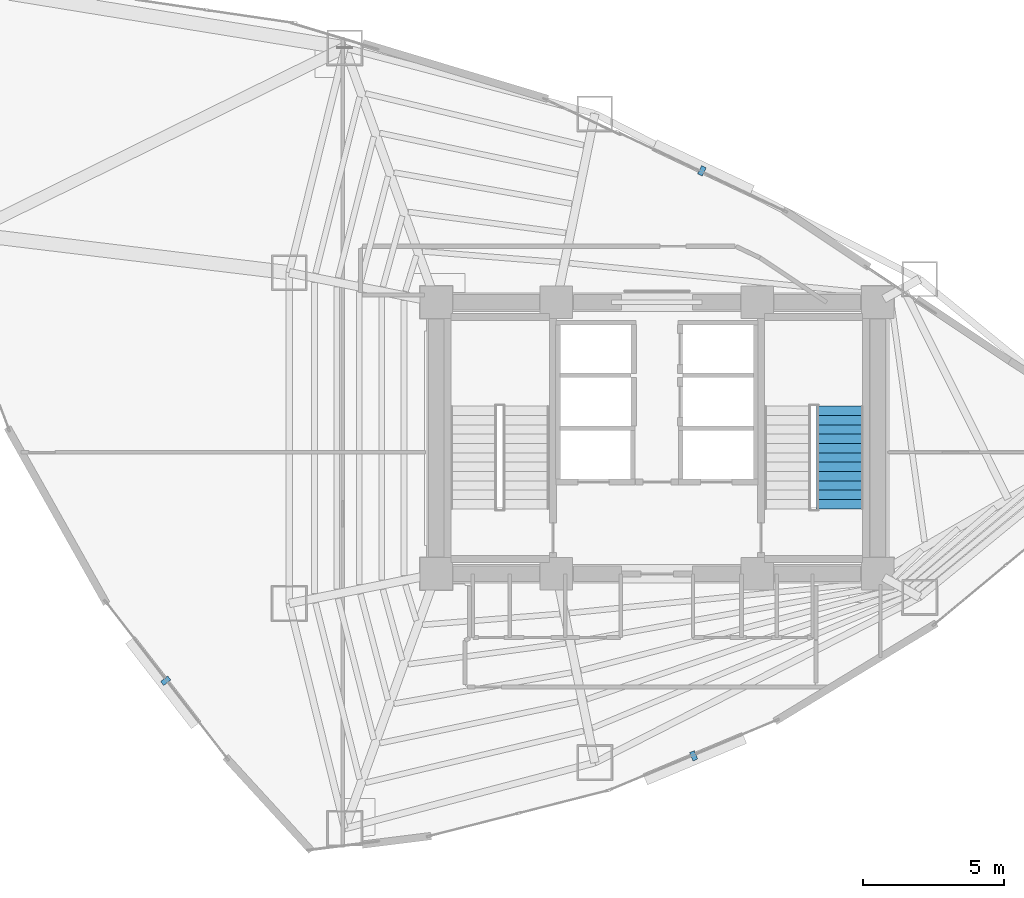
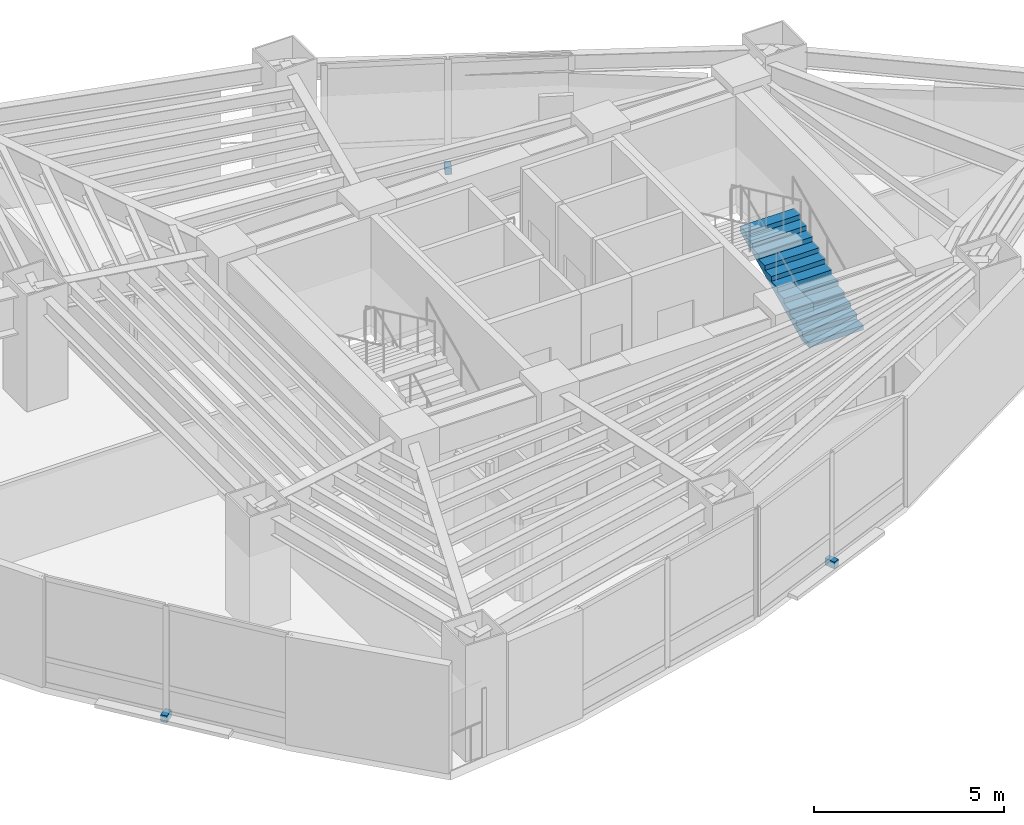
# One storey, part 21 of 23: 3 discrete accessories, 1 stair flight, 1 element without a shape of its own.
"""IFC4 building model written with IfcOpenShell, lengths in metres."""

import ifcopenshell
import ifcopenshell.guid

model = None  # the IFC model being written
_history = None  # IfcOwnerHistory: only IFC2X3 demands one
_inside = {}  # id of a spatial element -> (the spatial element, [elements in it])
_under = {}  # id of a project, library or spatial element -> (it, [spatial elements below it])
_declared = {}  # id of a project -> (the project, [libraries it declares])
_typed = {}  # id of a type object -> (the type object, [elements of that type])
_made_of = {}  # id of a material, layer set ... -> (it, [elements and type objects made of it])


def new_model(schema):
    """Start an empty IFC model of exactly this schema.

    Asked for "IFC4X3", IfcOpenShell would pick the latest addendum, in which some entities
    have other attributes; the version numbers below select the first issue.
    IFC2X3 requires an IfcOwnerHistory on every rooted entity: one is made here for all.
    """
    global model, _history
    if schema == "IFC4X3":
        model = ifcopenshell.file(schema_version=(4, 3, 0, 0))
    else:
        model = ifcopenshell.file(schema=schema)
    _inside.clear()
    _under.clear()
    _declared.clear()
    _typed.clear()
    _made_of.clear()
    _history = None
    if model.schema == "IFC2X3":
        org = make("IfcOrganization", Name="unknown")
        user = make(
            "IfcPersonAndOrganization",
            ThePerson=make("IfcPerson", FamilyName="unknown"),
            TheOrganization=org,
        )
        app = make(
            "IfcApplication",
            ApplicationDeveloper=org,
            Version="unknown",
            ApplicationFullName="unknown",
            ApplicationIdentifier="unknown",
        )
        _history = make(
            "IfcOwnerHistory",
            OwningUser=user,
            OwningApplication=app,
            ChangeAction="ADDED",
            CreationDate=0,
        )
    return model


def make(cls, **values):
    """One entity of the class cls with the attributes given. An attribute that is None is left unset."""
    return model.create_entity(
        cls, **{name: value for name, value in values.items() if value is not None}
    )


def rooted(cls, **values):
    """An entity with a GlobalId (a new one), such as an element, a storey or a relation."""
    return make(cls, GlobalId=ifcopenshell.guid.new(), OwnerHistory=_history, **values)


def si_unit(unit_type, name, prefix=None):
    """IfcSIUnit, for example si_unit("LENGTHUNIT", "METRE", prefix="MILLI")."""
    return make("IfcSIUnit", UnitType=unit_type, Prefix=prefix, Name=name)


def assignment(units):
    """IfcUnitAssignment: the units of a project."""
    return None if units is None else make("IfcUnitAssignment", Units=units)


def point(xyz):
    """IfcCartesianPoint."""
    return None if xyz is None else make("IfcCartesianPoint", Coordinates=xyz)


def direction(xyz):
    """IfcDirection."""
    return None if xyz is None else make("IfcDirection", DirectionRatios=xyz)


def frame(location, z_axis=None, x_axis=None):
    """IfcAxis2Placement3D, a coordinate frame: its origin and axes. An axis left out is left unset."""
    return make(
        "IfcAxis2Placement3D",
        Location=point(location),
        Axis=direction(z_axis),
        RefDirection=direction(x_axis),
    )


def frame_2d(location, x_axis=None):
    """IfcAxis2Placement2D, a coordinate frame in the plane: its origin and x axis."""
    return make(
        "IfcAxis2Placement2D", Location=point(location), RefDirection=direction(x_axis)
    )


def origin():
    """The frame at (0, 0, 0) with its axes left unset."""
    return frame((0.0, 0.0, 0.0))


def origin_2d():
    """The frame at (0, 0) in the plane with its x axis left unset."""
    return frame_2d((0.0, 0.0))


def place(relative_to, where):
    """IfcLocalPlacement: puts the frame where relative to a parent placement (None: the world)."""
    return make(
        "IfcLocalPlacement", PlacementRelTo=relative_to, RelativePlacement=where
    )


def context(
    kind, dimensions, precision=None, world=None, true_north=None, identifier=None
):
    """IfcGeometricRepresentationContext, for example the 3D "Model" context."""
    return make(
        "IfcGeometricRepresentationContext",
        ContextIdentifier=identifier,
        ContextType=kind,
        CoordinateSpaceDimension=dimensions,
        Precision=precision,
        WorldCoordinateSystem=world,
        TrueNorth=true_north,
    )


def subcontext(parent, identifier, kind, view, scale=None):
    """IfcGeometricRepresentationSubContext, for example "Body" below "Model"."""
    return make(
        "IfcGeometricRepresentationSubContext",
        ContextIdentifier=identifier,
        ContextType=kind,
        ParentContext=parent,
        TargetScale=scale,
        TargetView=view,
    )


def project(units=None, contexts=None):
    """IfcProject with its units and contexts."""
    return rooted(
        "IfcProject",
        Name="project",
        RepresentationContexts=contexts,
        UnitsInContext=assignment(units),
    )


def spatial(cls, under=None, at=None, **own):
    """A site, building, storey or space (cls), placed at a placement, below another one or the project."""
    s = rooted(cls, ObjectPlacement=at, **own)
    if under is not None:
        _under.setdefault(under.id(), (under, []))[1].append(s)
    return s


def polyline(points):
    """IfcPolyline through the points."""
    return make("IfcPolyline", Points=[point(p) for p in points])


def profile(cls, at=None, kind="AREA", **sizes):
    """A parametric profile (cls). Its sizes go by their IFC names, for example OverallWidth=200.0."""
    return make(cls, ProfileType=kind, Position=at, **sizes)


def rectangle(**sizes):
    """IfcRectangleProfileDef."""
    return profile("IfcRectangleProfileDef", **sizes)


def outline(outer, holes=None, kind="AREA"):
    """IfcArbitraryClosedProfileDef: a profile drawn as a closed curve; with holes, ...WithVoids."""
    if holes is None:
        return make("IfcArbitraryClosedProfileDef", ProfileType=kind, OuterCurve=outer)
    return make(
        "IfcArbitraryProfileDefWithVoids",
        ProfileType=kind,
        OuterCurve=outer,
        InnerCurves=holes,
    )


def extrude(swept, where, along, depth):
    """IfcExtrudedAreaSolid: the profile swept, set in the frame where, extruded along a direction by depth."""
    return make(
        "IfcExtrudedAreaSolid",
        SweptArea=swept,
        Position=where,
        ExtrudedDirection=direction(along),
        Depth=depth,
    )


def shape(context_of_items, identifier, shape_type, items):
    """IfcShapeRepresentation: the items that make up one representation, for example the "Body"."""
    return make(
        "IfcShapeRepresentation",
        ContextOfItems=context_of_items,
        RepresentationIdentifier=identifier,
        RepresentationType=shape_type,
        Items=items,
    )


def material(Name=None, Category=None):
    """IfcMaterial."""
    return make("IfcMaterial", Name=Name, Category=Category)


def made_of(thing, what):
    """Note that an element or type object is made of a material, layer set ...; save() writes the relation."""
    if what is not None:
        _made_of.setdefault(what.id(), (what, []))[1].append(thing)
    return thing


def type_object(cls, material=None, **own):
    """A type object (cls), such as IfcWallType, which elements share."""
    return made_of(rooted(cls, **own), material)


def element(
    cls,
    number,
    at=None,
    inside=None,
    cuts=None,
    type_object=None,
    material=None,
    context=None,
    identifier="Body",
    shape_type=None,
    held_by="IfcProductDefinitionShape",
    body=None,
    shapes=None,
    **own,
):
    """One element of the class cls, such as IfcWall. Its Tag is "e" and its number.

    at: its placement. inside: the storey or other place that contains it. cuts: it is an
    opening in that element (IfcRelVoidsElement). A single representation is given by context,
    identifier, shape_type and body (its items); several are given by shapes. held_by: the class
    of the entity that holds the representations. save() writes the other relations.
    """
    e = rooted(cls, Tag="e%d" % number, ObjectPlacement=at, **own)
    if body is not None:
        shapes = [shape(context, identifier, shape_type, body)]
    if shapes is not None:
        e.Representation = make(held_by, Representations=shapes)
    if inside is not None:
        _inside.setdefault(inside.id(), (inside, []))[1].append(e)
    if cuts is not None:
        rooted(
            "IfcRelVoidsElement", RelatingBuildingElement=cuts, RelatedOpeningElement=e
        )
    if type_object is not None:
        _typed.setdefault(type_object.id(), (type_object, []))[1].append(e)
    return made_of(e, material)


def aggregate(whole, parts):
    """IfcRelAggregates: a whole, such as a stair, and the parts it consists of."""
    return rooted("IfcRelAggregates", RelatingObject=whole, RelatedObjects=parts)


def save(model, path):
    """Write the relations noted so far, then the file.

    IfcRelAggregates (storeys below a building ...), IfcRelContainedInSpatialStructure (elements
    in a storey), IfcRelDefinesByType, IfcRelAssociatesMaterial and IfcRelDeclares: one each for
    every whole, place, type object, material and project.
    """
    for whole, parts in _under.values():
        aggregate(whole, parts)
    for where, things in _inside.values():
        rooted(
            "IfcRelContainedInSpatialStructure",
            RelatedElements=things,
            RelatingStructure=where,
        )
    for kind, things in _typed.values():
        rooted("IfcRelDefinesByType", RelatedObjects=things, RelatingType=kind)
    for what, things in _made_of.values():
        rooted("IfcRelAssociatesMaterial", RelatedObjects=things, RelatingMaterial=what)
    for by, libraries in _declared.values():
        rooted("IfcRelDeclares", RelatingContext=by, RelatedDefinitions=libraries)
    model.write(path)


model = new_model("IFC4")

# Units and contexts
model_context = context("Model", 3, precision=1e-05, world=origin(), true_north=direction((0.0, 1.0)))
body_context = subcontext(model_context, "Body", "Model", "MODEL_VIEW")
ifc_project = project(units=[si_unit("LENGTHUNIT", "METRE"), si_unit("AREAUNIT", "SQUARE_METRE"), si_unit("VOLUMEUNIT", "CUBIC_METRE"), si_unit("PLANEANGLEUNIT", "RADIAN"), si_unit("MASSUNIT", "GRAM", prefix="KILO")], contexts=[model_context])

# Site, building, storey
site_placement = place(None, origin())
site = spatial("IfcSite", under=ifc_project, at=site_placement, CompositionType="ELEMENT")
building_placement = place(site_placement, origin())
building = spatial("IfcBuilding", under=site, at=building_placement, Name="Menara Vayukalpa", CompositionType="ELEMENT")
storey_placement = place(building_placement, frame((0.0, 0.0, 103.97998046875)))
storey = spatial("IfcBuildingStorey", under=building, at=storey_placement, Name="L25", CompositionType="ELEMENT", Elevation=103.97998046875)

# Stair, stair flight
ifc_material_1 = material(Name="Precast Concrete C40/50", Category="concrete")
stair_type = type_object("IfcStairType", Name="STR-T04", PredefinedType="DOUBLE_RETURN_STAIR", material=ifc_material_1)
stair_placement = place(storey_placement, origin())
stair = element("IfcStair", 1, at=stair_placement, inside=storey, type_object=stair_type, Name="L25 Core Exit Stair ST-2", PredefinedType="DOUBLE_RETURN_STAIR")
ifc_material_2 = material(Name="Precast Concrete C40/50", Category="concrete")
stair_flight_type = type_object("IfcStairFlightType", Name="STF-T04", PredefinedType="STRAIGHT", material=ifc_material_2)
stair_flight_placement = place(storey_placement, frame((32.074951171875, 19.5, 0.0), z_axis=(0.0, 0.0, 1.0), x_axis=(0.0, 1.0, 0.0)))
stair_flight = element("IfcStairFlight", 2, at=stair_flight_placement, type_object=stair_flight_type, Name="ST-2 flight 1", NumberOfRisers=12, NumberOfTreads=11, PredefinedType="STRAIGHT", RiserHeight=0.155, TreadLength=0.33, context=body_context, shape_type="SweptSolid", body=[
    extrude(outline(polyline([(0.0, 0.0), (0.0, 0.155029296875), (0.330078125, 0.155029296875), (0.330078125, 0.31005859375), (0.659912109375, 0.31005859375), (0.659912109375, 0.465087890625), (0.989990234375, 0.465087890625), (0.989990234375, 0.6201171875), (1.320068359375, 0.6201171875), (1.320068359375, 0.77490234375), (1.64990234375, 0.77490234375), (1.64990234375, 0.929931640625), (1.97998046875, 0.929931640625), (1.97998046875, 1.0849609375), (2.31005859375, 1.0849609375), (2.31005859375, 1.239990234375), (2.639892578125, 1.239990234375), (2.639892578125, 1.39501953125), (2.969970703125, 1.39501953125), (2.969970703125, 1.550048828125), (3.300048828125, 1.550048828125), (3.300048828125, 1.705078125), (3.6298828125, 1.705078125), (3.6298828125, 1.860107421875), (3.6298828125, 1.539306640625), (0.3525390625, 0.0), (0.0, 0.0)])), frame((0.0, 0.824951171875, 0.0), z_axis=(0.0, -1.0, 0.0), x_axis=(1.0, 0.0, 0.0)), (0.0, 0.0, 1.0), 1.64990234375),
])
aggregate(stair, [stair_flight])

# Discrete accessories
ifc_material_3 = material(Name="Stainless Steel 316 Sunshade Bracket", Category="steel")
discrete_accessory_type = type_object("IfcDiscreteAccessoryType", Name="ACC-BRK1", PredefinedType="BRACKET", material=ifc_material_3)
for number, where, z_axis, x_axis, name in (
    (3, (27.19189453125, 31.446533203125, -0.16015625), (0.0, 0.0, 1.0), (-0.90383625926, 0.427878506643, 0.0), "L25 Terracotta Sunshade Bracket 05"),
    (4, (8.240234375, 13.425537109375, -0.16015625), (0.0, 0.0, 1.0), (0.612189679389, -0.790710943677, 0.0), "L25 Terracotta Sunshade Bracket 13"),
    (5, (26.898193359375, 10.77099609375, -0.16015625), (0.0, 0.0, 1.0), (0.922544824647, 0.385889940938, 0.0), "L25 Terracotta Sunshade Bracket 17"),
):
    element("IfcDiscreteAccessory", number, at=place(storey_placement, frame(where, z_axis=z_axis, x_axis=x_axis)), inside=storey, type_object=discrete_accessory_type, Name=name, PredefinedType="BRACKET", context=body_context, shape_type="SweptSolid", body=[
        extrude(rectangle(XDim=0.179931640625, YDim=0.320068359375, at=origin_2d()), origin(), (0.0, 0.0, 1.0), 0.219970703125),
    ])

save(model, "model.ifc")
